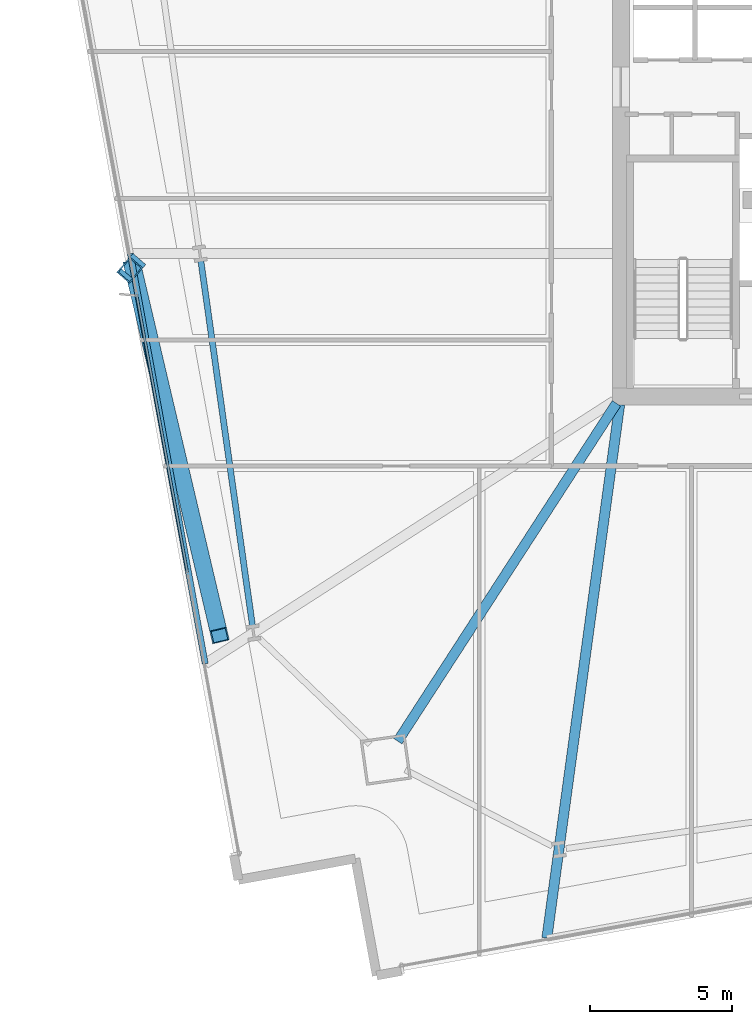
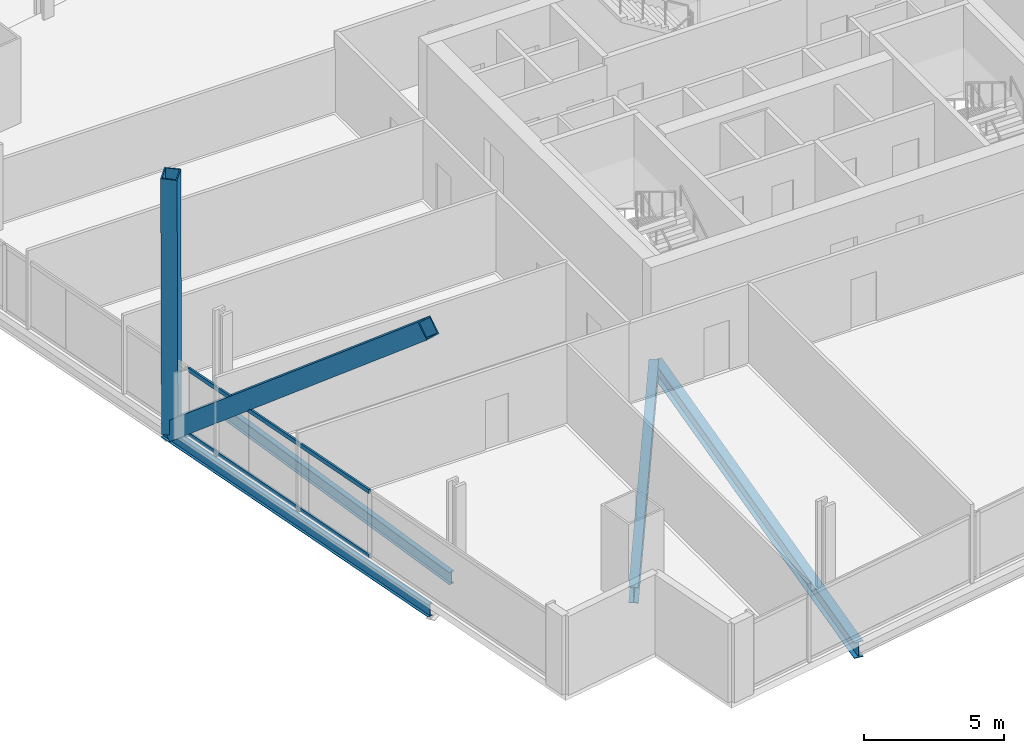
# One storey, part 6 of 34: 4 beams, 4 members, 1 element without a shape of its own.
"""IFC4 building model written with IfcOpenShell, lengths in metres."""

from ifc_helpers import new_model, si_unit, direction, frame, origin, origin_2d, place, context, subcontext, project, spatial, hollow_rectangle, i_section, extrude, material, material_profile, profile_set, type_object, element, aggregate, save


model = new_model("IFC4")

# Units and contexts
model_context = context("Model", 3, precision=1e-05, world=origin(), true_north=direction((0.0, 1.0)))
body_context = subcontext(model_context, "Body", "Model", "MODEL_VIEW")
ifc_project = project(units=[si_unit("LENGTHUNIT", "METRE"), si_unit("AREAUNIT", "SQUARE_METRE"), si_unit("VOLUMEUNIT", "CUBIC_METRE"), si_unit("PLANEANGLEUNIT", "RADIAN"), si_unit("MASSUNIT", "GRAM", prefix="KILO")], contexts=[model_context])

# Site, building, storey
site_placement = place(None, origin())
site = spatial("IfcSite", under=ifc_project, at=site_placement, CompositionType="ELEMENT")
building_placement = place(site_placement, origin())
building = spatial("IfcBuilding", under=site, at=building_placement, Name="Haldenkirk Collegiate Tower", CompositionType="ELEMENT")
storey_placement = place(building_placement, frame((0.0, 0.0, 62.699951171875)))
storey = spatial("IfcBuildingStorey", under=building, at=storey_placement, Name="L14", CompositionType="ELEMENT", Elevation=62.699951171875)

# Beams
ifc_material_1 = material(Name="Steel ASTM A992 Grade 50", Category="steel")
ifc_material_profile_1 = material_profile(ifc_material_1, i_section(OverallWidth=0.35498046875, OverallDepth=0.696044921875, WebThickness=0.015380859375, FlangeThickness=0.02490234375, at=origin_2d()), Name="W27X146")
ifc_profile_set_1 = profile_set([ifc_material_profile_1], Name="Steel ASTM A992 Grade 50")
beam_type_1 = type_object("IfcBeamType", Name="BM-GIRDER-W27X146", PredefinedType="BEAM", material=ifc_profile_set_1)
beam_1_placement = place(storey_placement, frame((19.1201171875, 5.826416015625, -0.657958984375), z_axis=(0.54339434448, 0.839477567531, 0.0), x_axis=(-0.839477567531, 0.54339434448, 0.0)))
element("IfcBeam", 1, at=beam_1_placement, inside=storey, type_object=beam_type_1, Name="L14 primary floor girder 01", PredefinedType="BEAM", context=body_context, shape_type="SweptSolid", body=[
    extrude(i_section(OverallWidth=0.35498046875, OverallDepth=0.696044921875, WebThickness=0.015380859375, FlangeThickness=0.02490234375, at=origin_2d()), origin(), (0.0, 0.0, 1.0), 14.221435546875),
])
beam_2_placement = place(storey_placement, frame((24.3876953125, -1.1328125, -0.657958984375), z_axis=(0.135281514739, 0.990807202118, 0.0), x_axis=(-0.990807202118, 0.135281514739, 0.0)))
element("IfcBeam", 2, at=beam_2_placement, inside=storey, type_object=beam_type_1, Name="L14 primary floor girder 05", PredefinedType="BEAM", context=body_context, shape_type="SweptSolid", body=[
    extrude(i_section(OverallWidth=0.35498046875, OverallDepth=0.696044921875, WebThickness=0.015380859375, FlangeThickness=0.02490234375, at=origin_2d()), origin(), (0.0, 0.0, 1.0), 19.030517578125),
])
ifc_material_profile_2 = material_profile(ifc_material_1, i_section(OverallWidth=0.2119140625, OverallDepth=0.5439453125, WebThickness=0.01318359375, FlangeThickness=0.021240234375, at=origin_2d()), Name="W21X83")
ifc_profile_set_2 = profile_set([ifc_material_profile_2], Name="Steel ASTM A992 Grade 50")
beam_type_2 = type_object("IfcBeamType", Name="BM-SPANDREL-W21X83", PredefinedType="SPANDREL", material=ifc_profile_set_2)
beam_3_placement = place(storey_placement, frame((12.16455078125, 22.791015625, -0.58203125), z_axis=(0.140043508171, -0.990145350855, 0.0), x_axis=(0.990145350855, 0.140043508171, 0.0)))
element("IfcBeam", 3, at=beam_3_placement, inside=storey, type_object=beam_type_2, Name="L14 perimeter spandrel beam 15", PredefinedType="SPANDREL", context=body_context, shape_type="SweptSolid", body=[
    extrude(i_section(OverallWidth=0.2119140625, OverallDepth=0.5439453125, WebThickness=0.01318359375, FlangeThickness=0.021240234375, at=origin_2d()), origin(), (0.0, 0.0, 1.0), 13.0),
])
beam_4_placement = place(storey_placement, frame((9.6708984375, 23.052978515625, -0.58203125), z_axis=(0.179668558113, -0.983727202646, 0.0), x_axis=(0.983727202646, 0.179668558113, 0.0)))
element("IfcBeam", 4, at=beam_4_placement, inside=storey, type_object=beam_type_2, Name="L14 outer facade edge beam 4B", PredefinedType="SPANDREL", context=body_context, shape_type="SweptSolid", body=[
    extrude(i_section(OverallWidth=0.2119140625, OverallDepth=0.5439453125, WebThickness=0.01318359375, FlangeThickness=0.021240234375, at=origin_2d()), origin(), (0.0, 0.0, 1.0), 14.731201171875),
])

# Curtain wall, members
ifc_material_2 = material(Name="Anodised architectural bronze aluminium", Category="aluminium")
curtain_wall_type = type_object("IfcCurtainWallType", Name="CW-SYS1-CONVEX-LOW", PredefinedType="USERDEFINED", material=ifc_material_2)
curtain_wall_placement = place(storey_placement, origin())
curtain_wall = element("IfcCurtainWall", 5, at=curtain_wall_placement, inside=storey, type_object=curtain_wall_type, Name="L14 Lower tower convex bronze-framed unitised curtain wall", ObjectType="UNITISED CURTAIN WALL", PredefinedType="USERDEFINED")
ifc_material_profile_3 = material_profile(ifc_material_2, hollow_rectangle(XDim=0.080078125, YDim=0.179931640625, WallThickness=0.0048828125, at=origin_2d()), Name="CW-TRN-1A")
ifc_profile_set_3 = profile_set([ifc_material_profile_3], Name="Anodised architectural bronze aluminium")
member_type_1 = type_object("IfcMemberType", Name="CW-TRN-1A", PredefinedType="USERDEFINED", material=ifc_profile_set_3)
member_1_placement = place(storey_placement, frame((11.6884765625, 11.78466796875, 0.0400390625), z_axis=(-0.179670446514, 0.983726857745, 0.0), x_axis=(-0.983726857745, -0.179670446514, 0.0)))
member_1 = element("IfcMember", 6, at=member_1_placement, type_object=member_type_1, Name="CW-1A transom 2.1", ObjectType="TRANSOM", PredefinedType="USERDEFINED", context=body_context, shape_type="SweptSolid", body=[
    extrude(hollow_rectangle(XDim=0.080078125, YDim=0.179931640625, WallThickness=0.0048828125, at=origin_2d()), origin(), (0.0, 0.0, 1.0), 9.98876953125),
])
member_2_placement = place(storey_placement, frame((11.6884765625, 11.78466796875, 2.85107421875), z_axis=(-0.179670446514, 0.983726857745, 0.0), x_axis=(-0.983726857745, -0.179670446514, 0.0)))
member_2 = element("IfcMember", 7, at=member_2_placement, type_object=member_type_1, Name="CW-1A transom 2.2", ObjectType="TRANSOM", PredefinedType="USERDEFINED", context=body_context, shape_type="SweptSolid", body=[
    extrude(hollow_rectangle(XDim=0.080078125, YDim=0.179931640625, WallThickness=0.0048828125, at=origin_2d()), origin(), (0.0, 0.0, 1.0), 9.98876953125),
])
aggregate(curtain_wall, [member_1, member_2])

# Members
ifc_material_3 = material(Name="Steel ASTM A572 Grade 50", Category="steel")
ifc_material_profile_4 = material_profile(ifc_material_3, hollow_rectangle(XDim=0.60009765625, YDim=0.719970703125, WallThickness=0.044921875, at=origin_2d()), Name="BOX720X600X45")
ifc_profile_set_4 = profile_set([ifc_material_profile_4], Name="Steel ASTM A572 Grade 50")
member_type_2 = type_object("IfcMemberType", Name="MBR-MEGABRACE-BOX720X600X45", PredefinedType="BRACE", material=ifc_profile_set_4)
member_3_placement = place(storey_placement, frame((9.755615234375, 22.590576171875, -0.320068359375), z_axis=(-0.009265565008, -0.010697713229, 0.999899849103), x_axis=(0.75589140436, -0.65469701757, 0.0)))
element("IfcMember", 8, at=member_3_placement, inside=storey, type_object=member_type_2, Name="Perimeter Mega Brace Z1 L14-L16 WL", PredefinedType="BRACE", context=body_context, shape_type="SweptSolid", body=[
    extrude(hollow_rectangle(XDim=0.60009765625, YDim=0.719970703125, WallThickness=0.044921875, at=origin_2d()), origin(), (0.0, 0.0, 1.0), 11.251220703125),
])
member_4_placement = place(storey_placement, frame((9.755615234375, 22.590576171875, -0.320068359375), z_axis=(0.175382643974, -0.745177271627, 0.643390831489), x_axis=(0.973403532376, 0.229097278811, 0.0)))
element("IfcMember", 9, at=member_4_placement, inside=storey, type_object=member_type_2, Name="Perimeter Mega Brace Z1 L14-L16 WR", PredefinedType="BRACE", context=body_context, shape_type="SweptSolid", body=[
    extrude(hollow_rectangle(XDim=0.60009765625, YDim=0.719970703125, WallThickness=0.044921875, at=origin_2d()), origin(), (0.0, 0.0, 1.0), 17.485595703125),
])

save(model, "model.ifc")
